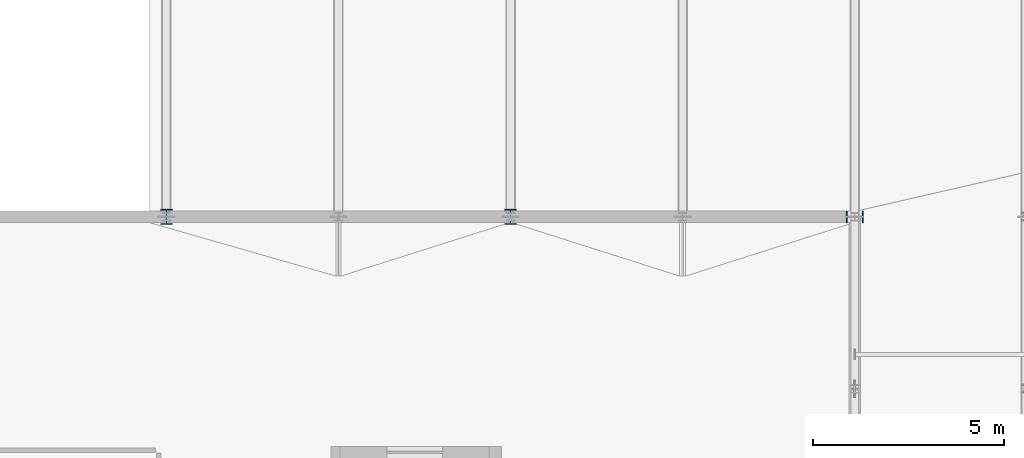
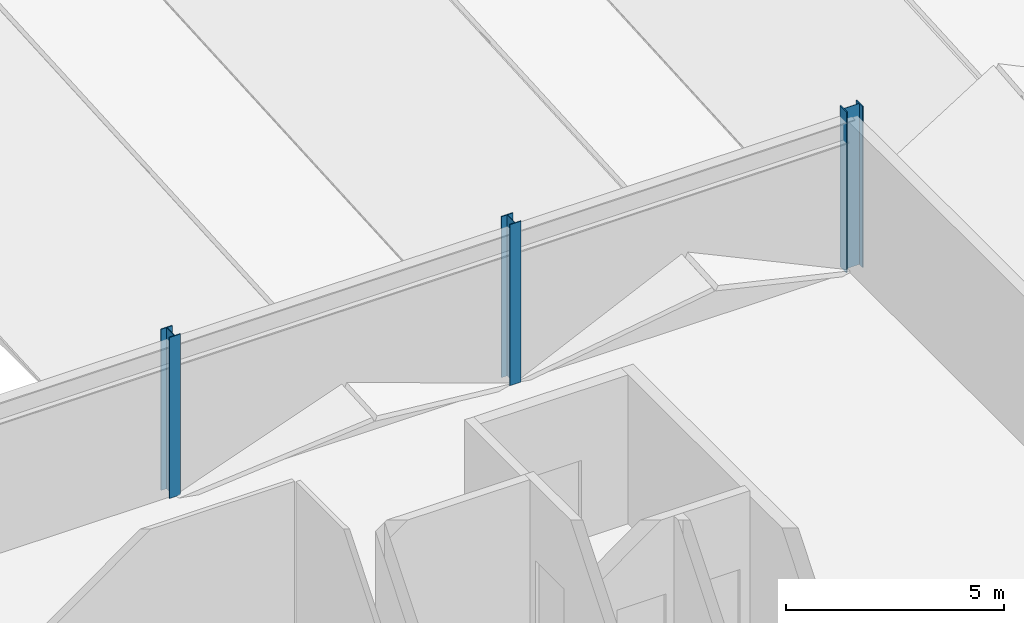
# One storey, part 3 of 142: 3 columns.
"""IFC4 building model written with IfcOpenShell, lengths in metres."""

import ifcopenshell
import ifcopenshell.guid

model = None  # the IFC model being written
_history = None  # IfcOwnerHistory: only IFC2X3 demands one
_inside = {}  # id of a spatial element -> (the spatial element, [elements in it])
_under = {}  # id of a project, library or spatial element -> (it, [spatial elements below it])
_declared = {}  # id of a project -> (the project, [libraries it declares])
_typed = {}  # id of a type object -> (the type object, [elements of that type])
_made_of = {}  # id of a material, layer set ... -> (it, [elements and type objects made of it])


def new_model(schema):
    """Start an empty IFC model of exactly this schema.

    Asked for "IFC4X3", IfcOpenShell would pick the latest addendum, in which some entities
    have other attributes; the version numbers below select the first issue.
    IFC2X3 requires an IfcOwnerHistory on every rooted entity: one is made here for all.
    """
    global model, _history
    if schema == "IFC4X3":
        model = ifcopenshell.file(schema_version=(4, 3, 0, 0))
    else:
        model = ifcopenshell.file(schema=schema)
    _inside.clear()
    _under.clear()
    _declared.clear()
    _typed.clear()
    _made_of.clear()
    _history = None
    if model.schema == "IFC2X3":
        org = make("IfcOrganization", Name="unknown")
        user = make(
            "IfcPersonAndOrganization",
            ThePerson=make("IfcPerson", FamilyName="unknown"),
            TheOrganization=org,
        )
        app = make(
            "IfcApplication",
            ApplicationDeveloper=org,
            Version="unknown",
            ApplicationFullName="unknown",
            ApplicationIdentifier="unknown",
        )
        _history = make(
            "IfcOwnerHistory",
            OwningUser=user,
            OwningApplication=app,
            ChangeAction="ADDED",
            CreationDate=0,
        )
    return model


def make(cls, **values):
    """One entity of the class cls with the attributes given. An attribute that is None is left unset."""
    return model.create_entity(
        cls, **{name: value for name, value in values.items() if value is not None}
    )


def rooted(cls, **values):
    """An entity with a GlobalId (a new one), such as an element, a storey or a relation."""
    return make(cls, GlobalId=ifcopenshell.guid.new(), OwnerHistory=_history, **values)


def si_unit(unit_type, name, prefix=None):
    """IfcSIUnit, for example si_unit("LENGTHUNIT", "METRE", prefix="MILLI")."""
    return make("IfcSIUnit", UnitType=unit_type, Prefix=prefix, Name=name)


def assignment(units):
    """IfcUnitAssignment: the units of a project."""
    return None if units is None else make("IfcUnitAssignment", Units=units)


def point(xyz):
    """IfcCartesianPoint."""
    return None if xyz is None else make("IfcCartesianPoint", Coordinates=xyz)


def direction(xyz):
    """IfcDirection."""
    return None if xyz is None else make("IfcDirection", DirectionRatios=xyz)


def frame(location, z_axis=None, x_axis=None):
    """IfcAxis2Placement3D, a coordinate frame: its origin and axes. An axis left out is left unset."""
    return make(
        "IfcAxis2Placement3D",
        Location=point(location),
        Axis=direction(z_axis),
        RefDirection=direction(x_axis),
    )


def frame_2d(location, x_axis=None):
    """IfcAxis2Placement2D, a coordinate frame in the plane: its origin and x axis."""
    return make(
        "IfcAxis2Placement2D", Location=point(location), RefDirection=direction(x_axis)
    )


def origin():
    """The frame at (0, 0, 0) with its axes left unset."""
    return frame((0.0, 0.0, 0.0))


def origin_2d():
    """The frame at (0, 0) in the plane with its x axis left unset."""
    return frame_2d((0.0, 0.0))


def place(relative_to, where):
    """IfcLocalPlacement: puts the frame where relative to a parent placement (None: the world)."""
    return make(
        "IfcLocalPlacement", PlacementRelTo=relative_to, RelativePlacement=where
    )


def context(
    kind, dimensions, precision=None, world=None, true_north=None, identifier=None
):
    """IfcGeometricRepresentationContext, for example the 3D "Model" context."""
    return make(
        "IfcGeometricRepresentationContext",
        ContextIdentifier=identifier,
        ContextType=kind,
        CoordinateSpaceDimension=dimensions,
        Precision=precision,
        WorldCoordinateSystem=world,
        TrueNorth=true_north,
    )


def subcontext(parent, identifier, kind, view, scale=None):
    """IfcGeometricRepresentationSubContext, for example "Body" below "Model"."""
    return make(
        "IfcGeometricRepresentationSubContext",
        ContextIdentifier=identifier,
        ContextType=kind,
        ParentContext=parent,
        TargetScale=scale,
        TargetView=view,
    )


def project(units=None, contexts=None):
    """IfcProject with its units and contexts."""
    return rooted(
        "IfcProject",
        Name="project",
        RepresentationContexts=contexts,
        UnitsInContext=assignment(units),
    )


def spatial(cls, under=None, at=None, **own):
    """A site, building, storey or space (cls), placed at a placement, below another one or the project."""
    s = rooted(cls, ObjectPlacement=at, **own)
    if under is not None:
        _under.setdefault(under.id(), (under, []))[1].append(s)
    return s


def profile(cls, at=None, kind="AREA", **sizes):
    """A parametric profile (cls). Its sizes go by their IFC names, for example OverallWidth=200.0."""
    return make(cls, ProfileType=kind, Position=at, **sizes)


def i_section(**sizes):
    """IfcIShapeProfileDef."""
    return profile("IfcIShapeProfileDef", **sizes)


def extrude(swept, where, along, depth):
    """IfcExtrudedAreaSolid: the profile swept, set in the frame where, extruded along a direction by depth."""
    return make(
        "IfcExtrudedAreaSolid",
        SweptArea=swept,
        Position=where,
        ExtrudedDirection=direction(along),
        Depth=depth,
    )


def shape(context_of_items, identifier, shape_type, items):
    """IfcShapeRepresentation: the items that make up one representation, for example the "Body"."""
    return make(
        "IfcShapeRepresentation",
        ContextOfItems=context_of_items,
        RepresentationIdentifier=identifier,
        RepresentationType=shape_type,
        Items=items,
    )


def material(Name=None, Category=None):
    """IfcMaterial."""
    return make("IfcMaterial", Name=Name, Category=Category)


def material_profile(
    of_material, cross_section, Name=None, Category=None, Priority=None
):
    """IfcMaterialProfile: a cross section and its material."""
    return make(
        "IfcMaterialProfile",
        Name=Name,
        Material=of_material,
        Profile=cross_section,
        Priority=Priority,
        Category=Category,
    )


def profile_set(profiles, Name=None, composite=None):
    """IfcMaterialProfileSet."""
    return make(
        "IfcMaterialProfileSet",
        Name=Name,
        MaterialProfiles=profiles,
        CompositeProfile=composite,
    )


def made_of(thing, what):
    """Note that an element or type object is made of a material, layer set ...; save() writes the relation."""
    if what is not None:
        _made_of.setdefault(what.id(), (what, []))[1].append(thing)
    return thing


def type_object(cls, material=None, **own):
    """A type object (cls), such as IfcWallType, which elements share."""
    return made_of(rooted(cls, **own), material)


def element(
    cls,
    number,
    at=None,
    inside=None,
    cuts=None,
    type_object=None,
    material=None,
    context=None,
    identifier="Body",
    shape_type=None,
    held_by="IfcProductDefinitionShape",
    body=None,
    shapes=None,
    **own,
):
    """One element of the class cls, such as IfcWall. Its Tag is "e" and its number.

    at: its placement. inside: the storey or other place that contains it. cuts: it is an
    opening in that element (IfcRelVoidsElement). A single representation is given by context,
    identifier, shape_type and body (its items); several are given by shapes. held_by: the class
    of the entity that holds the representations. save() writes the other relations.
    """
    e = rooted(cls, Tag="e%d" % number, ObjectPlacement=at, **own)
    if body is not None:
        shapes = [shape(context, identifier, shape_type, body)]
    if shapes is not None:
        e.Representation = make(held_by, Representations=shapes)
    if inside is not None:
        _inside.setdefault(inside.id(), (inside, []))[1].append(e)
    if cuts is not None:
        rooted(
            "IfcRelVoidsElement", RelatingBuildingElement=cuts, RelatedOpeningElement=e
        )
    if type_object is not None:
        _typed.setdefault(type_object.id(), (type_object, []))[1].append(e)
    return made_of(e, material)


def aggregate(whole, parts):
    """IfcRelAggregates: a whole, such as a stair, and the parts it consists of."""
    return rooted("IfcRelAggregates", RelatingObject=whole, RelatedObjects=parts)


def save(model, path):
    """Write the relations noted so far, then the file.

    IfcRelAggregates (storeys below a building ...), IfcRelContainedInSpatialStructure (elements
    in a storey), IfcRelDefinesByType, IfcRelAssociatesMaterial and IfcRelDeclares: one each for
    every whole, place, type object, material and project.
    """
    for whole, parts in _under.values():
        aggregate(whole, parts)
    for where, things in _inside.values():
        rooted(
            "IfcRelContainedInSpatialStructure",
            RelatedElements=things,
            RelatingStructure=where,
        )
    for kind, things in _typed.values():
        rooted("IfcRelDefinesByType", RelatedObjects=things, RelatingType=kind)
    for what, things in _made_of.values():
        rooted("IfcRelAssociatesMaterial", RelatedObjects=things, RelatingMaterial=what)
    for by, libraries in _declared.values():
        rooted("IfcRelDeclares", RelatingContext=by, RelatedDefinitions=libraries)
    model.write(path)


model = new_model("IFC4")

# Units and contexts
model_context = context("Model", 3, precision=1e-05, world=origin(), true_north=direction((0.0, 1.0)))
body_context = subcontext(model_context, "Body", "Model", "MODEL_VIEW")
ifc_project = project(units=[si_unit("LENGTHUNIT", "METRE"), si_unit("AREAUNIT", "SQUARE_METRE"), si_unit("VOLUMEUNIT", "CUBIC_METRE"), si_unit("PLANEANGLEUNIT", "RADIAN"), si_unit("MASSUNIT", "GRAM", prefix="KILO")], contexts=[model_context])

# Site, building, storey
site_placement = place(None, origin())
site = spatial("IfcSite", under=ifc_project, at=site_placement, CompositionType="ELEMENT")
building_placement = place(site_placement, origin())
building = spatial("IfcBuilding", under=site, at=building_placement, Name="Montelvaro Courts of Justice", CompositionType="ELEMENT")
storey_placement = place(building_placement, frame((0.0, 0.0, 14.39990234375)))
storey = spatial("IfcBuildingStorey", under=building, at=storey_placement, Name="L03", CompositionType="ELEMENT", Elevation=14.39990234375)

# Columns
ifc_material = material(Name="Steel S355", Category="steel")
ifc_material_profile_1 = material_profile(ifc_material, i_section(OverallWidth=0.300048828125, OverallDepth=0.39990234375, WebThickness=0.013427734375, FlangeThickness=0.02392578125, at=origin_2d()), Name="HEB 400")
ifc_profile_set_1 = profile_set([ifc_material_profile_1], Name="Steel S355")
column_type_1 = type_object("IfcColumnType", Name="Col_HEB400", PredefinedType="COLUMN", material=ifc_profile_set_1)
for number, where, z_axis, x_axis, name in (
    (1, (54.0, 42.0, 0.0), (0.0, 0.0, 1.0), (1.0, 0.0, 0.0), "Column C-07 L03 7/D"),
    (2, (63.0, 42.0, 0.0), (0.0, 0.0, 1.0), (1.0, 0.0, 0.0), "Column C-07 L03 8/D"),
):
    element("IfcColumn", number, at=place(storey_placement, frame(where, z_axis=z_axis, x_axis=x_axis)), inside=storey, type_object=column_type_1, Name=name, PredefinedType="COLUMN", context=body_context, shape_type="SweptSolid", body=[
        extrude(i_section(OverallWidth=0.300048828125, OverallDepth=0.39990234375, WebThickness=0.013427734375, FlangeThickness=0.02392578125, at=origin_2d()), origin(), (0.0, 0.0, 1.0), 4.5),
    ])
ifc_material_profile_2 = material_profile(ifc_material, i_section(OverallWidth=0.300048828125, OverallDepth=0.449951171875, WebThickness=0.013916015625, FlangeThickness=0.02587890625, at=origin_2d()), Name="HEB 450")
ifc_profile_set_2 = profile_set([ifc_material_profile_2], Name="Steel S355")
column_type_2 = type_object("IfcColumnType", Name="Col_HEB450", PredefinedType="COLUMN", material=ifc_profile_set_2)
column_placement = place(storey_placement, frame((72.0, 42.0, 0.0), z_axis=(0.0, 0.0, 1.0), x_axis=(0.0, 1.0, 0.0)))
element("IfcColumn", 3, at=column_placement, inside=storey, type_object=column_type_2, Name="Column C-08 L03 9/D", PredefinedType="COLUMN", context=body_context, shape_type="SweptSolid", body=[
    extrude(i_section(OverallWidth=0.300048828125, OverallDepth=0.449951171875, WebThickness=0.013916015625, FlangeThickness=0.02587890625, at=origin_2d()), origin(), (0.0, 0.0, 1.0), 4.5),
])

save(model, "model.ifc")
